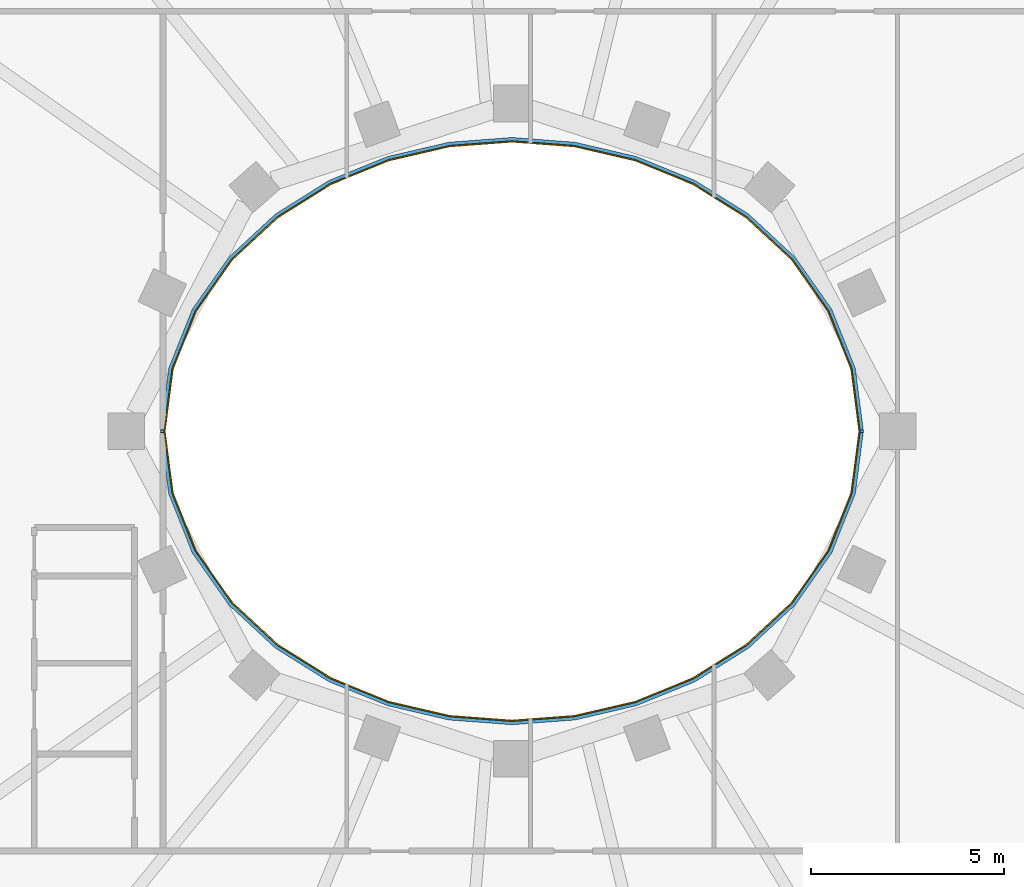
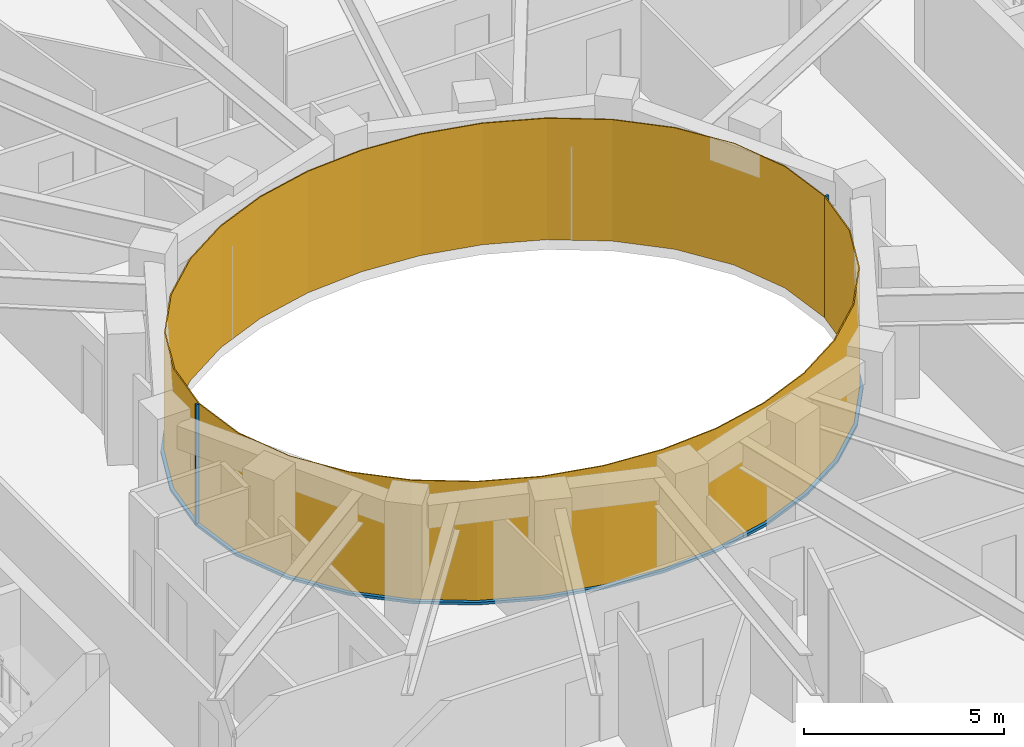
# One storey, part 10 of 15: 4 members, 2 curtain walls.
"""IFC4 building model written with IfcOpenShell, lengths in metres."""

from ifc_helpers import new_model, si_unit, direction, frame, origin, origin_2d, place, context, subcontext, project, spatial, polyline, rectangle, outline, extrude, material, layer, layer_set, material_profile, profile_set, type_object, element, aggregate, save


model = new_model("IFC4")

# Units and contexts
model_context = context("Model", 3, precision=1e-05, world=origin(), true_north=direction((0.0, 1.0)))
body_context = subcontext(model_context, "Body", "Model", "MODEL_VIEW")
ifc_project = project(units=[si_unit("LENGTHUNIT", "METRE"), si_unit("AREAUNIT", "SQUARE_METRE"), si_unit("VOLUMEUNIT", "CUBIC_METRE"), si_unit("PLANEANGLEUNIT", "RADIAN"), si_unit("MASSUNIT", "GRAM", prefix="KILO")], contexts=[model_context])

# Member
ifc_material_1 = material(Name="Steel S355 fire-resisting frame", Category="steel")
ifc_material_profile = material_profile(ifc_material_1, rectangle(XDim=0.090087890625, YDim=0.06005859375, at=origin_2d()), Name="90x60")
ifc_profile_set = profile_set([ifc_material_profile], Name="Steel S355 fire-resisting frame")
member_type_1 = type_object("IfcMemberType", Name="ENV-MULLION-W-90", PredefinedType="MULLION", material=ifc_profile_set)
site_placement = place(None, origin())
building_placement = place(site_placement, origin())
storey_placement = place(building_placement, frame((0.0, 0.0, 265.5)))
member_1_placement = place(storey_placement, frame((9.076904296875, 0.0, 0.0), z_axis=(0.0, 0.0, 1.0), x_axis=(1.0, 0.0, 0.0)))
member_1 = element("IfcMember", 1, at=member_1_placement, type_object=member_type_1, Name="Mullion W well vertex 01", PredefinedType="MULLION", context=body_context, shape_type="SweptSolid", body=[
    extrude(rectangle(XDim=0.090087890625, YDim=0.06005859375, at=origin_2d()), origin(), (0.0, 0.0, 1.0), 3.699951171875),
])

member_2_placement = place(storey_placement, frame((-9.076904296875, 0.0, 0.0), z_axis=(0.0, 0.0, 1.0), x_axis=(-1.0, 0.0, 0.0)))
member_2 = element("IfcMember", 2, at=member_2_placement, type_object=member_type_1, Name="Mullion W well vertex 17", PredefinedType="MULLION", context=body_context, shape_type="SweptSolid", body=[
    extrude(rectangle(XDim=0.090087890625, YDim=0.06005859375, at=origin_2d()), origin(), (0.0, 0.0, 1.0), 3.699951171875),
])

ifc_material_2 = material(Name="Steel S355 fire-resisting frame", Category="steel")
member_type_2 = type_object("IfcMemberType", Name="ENV-TRANSOM-W", PredefinedType="USERDEFINED", material=ifc_material_2)
member_3_placement = place(storey_placement, origin())
member_3 = element("IfcMember", 3, at=member_3_placement, type_object=member_type_2, Name="Transom W well 01-17", ObjectType="TRANSOM", PredefinedType="USERDEFINED", context=body_context, shape_type="SweptSolid", body=[
    extrude(outline(polyline([(9.119384765625, 0.02783203125), (8.910400390625, 1.63623046875), (8.29833984375, 3.167236328125), (7.35107421875, 4.5146484375), (6.1455078125, 5.6337890625), (4.75341796875, 6.50634765625), (3.233642578125, 7.127685546875), (1.635498046875, 7.498779296875), (0.0, 7.622314453125), (-1.635498046875, 7.498779296875), (-3.233642578125, 7.127685546875), (-4.75341796875, 6.50634765625), (-6.1455078125, 5.6337890625), (-7.35107421875, 4.5146484375), (-8.29833984375, 3.167236328125), (-8.910400390625, 1.63623046875), (-9.119384765625, 0.02783203125), (-9.02880859375, 0.02783203125), (-8.822509765625, 1.61328125), (-8.21875, 3.124267578125), (-7.282958984375, 4.455078125), (-6.090576171875, 5.56201171875), (-4.712158203125, 6.426025390625), (-3.206298828125, 7.04150390625), (-1.621826171875, 7.40966796875), (0.0, 7.531982421875), (1.621826171875, 7.40966796875), (3.206298828125, 7.04150390625), (4.712158203125, 6.426025390625), (6.090576171875, 5.56201171875), (7.282958984375, 4.455078125), (8.21875, 3.124267578125), (8.822509765625, 1.61328125), (9.02880859375, 0.02783203125), (9.119384765625, 0.02783203125)])), origin(), (0.0, 0.0, 1.0), 0.080078125),
])

member_4_placement = place(storey_placement, origin())
member_4 = element("IfcMember", 4, at=member_4_placement, type_object=member_type_2, Name="Transom W well 17-01", ObjectType="TRANSOM", PredefinedType="USERDEFINED", context=body_context, shape_type="SweptSolid", body=[
    extrude(outline(polyline([(-9.119384765625, -0.02783203125), (-8.910400390625, -1.63623046875), (-8.29833984375, -3.167236328125), (-7.35107421875, -4.5146484375), (-6.1455078125, -5.6337890625), (-4.75341796875, -6.50634765625), (-3.233642578125, -7.127685546875), (-1.635498046875, -7.498779296875), (0.0, -7.622314453125), (1.635498046875, -7.498779296875), (3.233642578125, -7.127685546875), (4.75341796875, -6.50634765625), (6.1455078125, -5.6337890625), (7.35107421875, -4.5146484375), (8.29833984375, -3.167236328125), (8.910400390625, -1.63623046875), (9.119384765625, -0.02783203125), (9.02880859375, -0.02783203125), (8.822509765625, -1.61328125), (8.21875, -3.124267578125), (7.282958984375, -4.455078125), (6.090576171875, -5.56201171875), (4.712158203125, -6.426025390625), (3.206298828125, -7.04150390625), (1.621826171875, -7.40966796875), (0.0, -7.531982421875), (-1.621826171875, -7.40966796875), (-3.206298828125, -7.04150390625), (-4.712158203125, -6.426025390625), (-6.090576171875, -5.56201171875), (-7.282958984375, -4.455078125), (-8.21875, -3.124267578125), (-8.822509765625, -1.61328125), (-9.02880859375, -0.02783203125), (-9.119384765625, -0.02783203125)])), origin(), (0.0, 0.0, 1.0), 0.080078125),
])

# Site, building, storey
site = spatial("IfcSite", under=ifc_project, at=site_placement, CompositionType="ELEMENT")
building = spatial("IfcBuilding", under=site, at=building_placement, Name="Noorbagh Ring Tower", CompositionType="ELEMENT")
storey = spatial("IfcBuildingStorey", under=building, at=storey_placement, Name="L56", CompositionType="ELEMENT", Elevation=265.5)

# Curtain wall
ifc_material_3 = material(Name="Glass fire-resisting E60 laminated", Category="glass")
ifc_layer = layer(ifc_material_3, 0.031982421875)
ifc_layer_set = layer_set([ifc_layer], Name="Glass fire-resisting E60 laminated")
curtain_wall_type = type_object("IfcCurtainWallType", Name="ENV-CW-W", PredefinedType="NOTDEFINED", material=ifc_layer_set)
curtain_wall_1_placement = place(storey_placement, origin())
curtain_wall_1 = element("IfcCurtainWall", 5, at=curtain_wall_1_placement, inside=storey, type_object=curtain_wall_type, Name="Curtain wall W W01", PredefinedType="NOTDEFINED", context=body_context, shape_type="SweptSolid", body=[
    extrude(outline(polyline([(9.0322265625, 0.0), (8.822509765625, 1.61328125), (8.21875, 3.124267578125), (7.282958984375, 4.455078125), (6.090576171875, 5.56201171875), (4.712158203125, 6.426025390625), (3.206298828125, 7.04150390625), (1.621826171875, 7.40966796875), (0.0, 7.531982421875), (-1.621826171875, 7.40966796875), (-3.206298828125, 7.04150390625), (-4.712158203125, 6.426025390625), (-6.090576171875, 5.56201171875), (-7.282958984375, 4.455078125), (-8.21875, 3.124267578125), (-8.822509765625, 1.61328125), (-9.0322265625, 0.0), (-9.0, 0.0), (-8.79150390625, 1.605224609375), (-8.1904296875, 3.10888671875), (-7.2587890625, 4.43408203125), (-6.071044921875, 5.53662109375), (-4.697509765625, 6.3974609375), (-3.196533203125, 7.010986328125), (-1.6171875, 7.3779296875), (0.0, 7.5), (1.6171875, 7.3779296875), (3.196533203125, 7.010986328125), (4.697509765625, 6.3974609375), (6.071044921875, 5.53662109375), (7.2587890625, 4.43408203125), (8.1904296875, 3.10888671875), (8.79150390625, 1.605224609375), (9.0, 0.0), (9.0322265625, 0.0)])), origin(), (0.0, 0.0, 1.0), 3.699951171875),
])

aggregate(curtain_wall_1, [member_1, member_2, member_3])

curtain_wall_2_placement = place(storey_placement, origin())
curtain_wall_2 = element("IfcCurtainWall", 6, at=curtain_wall_2_placement, inside=storey, type_object=curtain_wall_type, Name="Curtain wall W W17", PredefinedType="NOTDEFINED", context=body_context, shape_type="SweptSolid", body=[
    extrude(outline(polyline([(-9.0322265625, 0.0), (-8.822509765625, -1.61328125), (-8.21875, -3.124267578125), (-7.282958984375, -4.455078125), (-6.090576171875, -5.56201171875), (-4.712158203125, -6.426025390625), (-3.206298828125, -7.04150390625), (-1.621826171875, -7.40966796875), (0.0, -7.531982421875), (1.621826171875, -7.40966796875), (3.206298828125, -7.04150390625), (4.712158203125, -6.426025390625), (6.090576171875, -5.56201171875), (7.282958984375, -4.455078125), (8.21875, -3.124267578125), (8.822509765625, -1.61328125), (9.0322265625, 0.0), (9.0, 0.0), (8.79150390625, -1.605224609375), (8.1904296875, -3.10888671875), (7.2587890625, -4.43408203125), (6.071044921875, -5.53662109375), (4.697509765625, -6.3974609375), (3.196533203125, -7.010986328125), (1.6171875, -7.3779296875), (0.0, -7.5), (-1.6171875, -7.3779296875), (-3.196533203125, -7.010986328125), (-4.697509765625, -6.3974609375), (-6.071044921875, -5.53662109375), (-7.2587890625, -4.43408203125), (-8.1904296875, -3.10888671875), (-8.79150390625, -1.605224609375), (-9.0, 0.0), (-9.0322265625, 0.0)])), origin(), (0.0, 0.0, 1.0), 3.699951171875),
])

aggregate(curtain_wall_2, [member_4])

save(model, "model.ifc")
